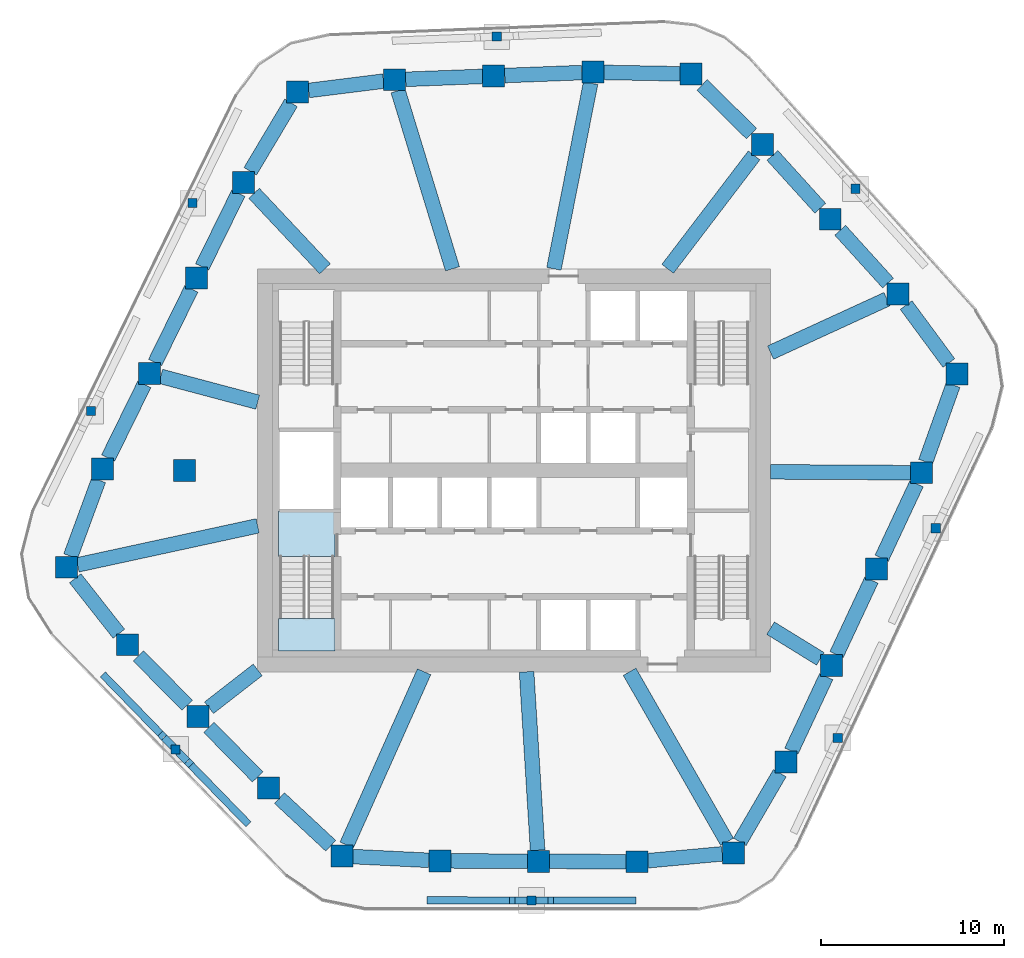
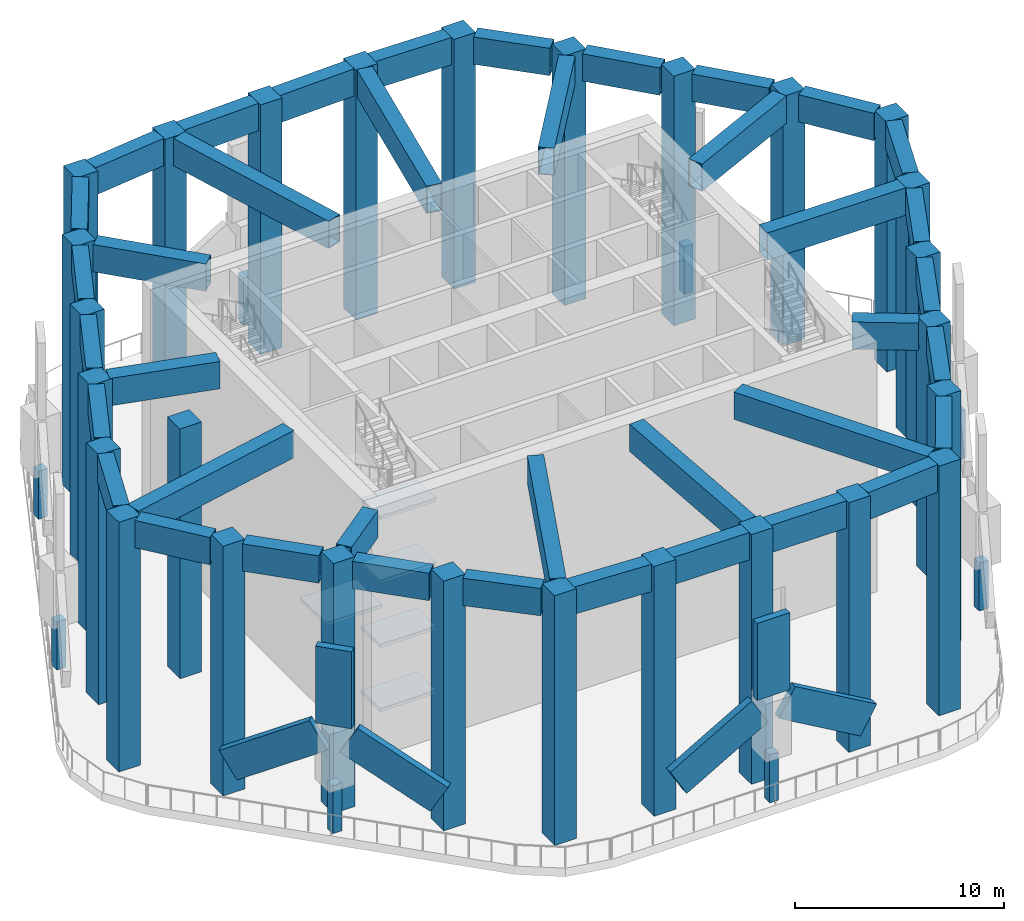
# One storey, part 1 of 12: 39 beams, 35 columns, 6 plates, 5 slabs, 1 element without a shape of its own.
"""IFC4 building model written with IfcOpenShell, lengths in metres."""

from ifc_helpers import new_model, si_unit, direction, frame, origin, origin_2d, place, context, subcontext, project, spatial, polyline, rectangle, hollow_rectangle, outline, extrude, material, layer, layer_set, material_profile, profile_set, type_object, element, aggregate, save


model = new_model("IFC4")

# Units and contexts
model_context = context("Model", 3, precision=1e-05, world=origin(), true_north=direction((0.0, 1.0)))
body_context = subcontext(model_context, "Body", "Model", "MODEL_VIEW")
ifc_project = project(units=[si_unit("LENGTHUNIT", "METRE"), si_unit("AREAUNIT", "SQUARE_METRE"), si_unit("VOLUMEUNIT", "CUBIC_METRE"), si_unit("PLANEANGLEUNIT", "RADIAN"), si_unit("MASSUNIT", "GRAM", prefix="KILO")], contexts=[model_context])

# Site, building, storey
site_placement = place(None, origin())
site = spatial("IfcSite", under=ifc_project, at=site_placement, CompositionType="ELEMENT")
building_placement = place(site_placement, origin())
building = spatial("IfcBuilding", under=site, at=building_placement, Name="Dongbaek Canopy Tower", CompositionType="ELEMENT")
storey_placement = place(building_placement, frame((0.0, 0.0, 183.800048828125)))
storey = spatial("IfcBuildingStorey", under=building, at=storey_placement, Name="L40", CompositionType="ELEMENT", Elevation=183.800048828125)

# Columns
ifc_material_1 = material(Name="Concrete C70", Category="concrete")
ifc_material_profile_1 = material_profile(ifc_material_1, rectangle(XDim=1.199951171875, YDim=1.199951171875, at=origin_2d()), Name="RC COLUMN 1200x1200 C70")
ifc_profile_set_1 = profile_set([ifc_material_profile_1], Name="Concrete C70")
column_type_1 = type_object("IfcColumnType", Name="RC COLUMN 1200x1200 C70", PredefinedType="COLUMN", material=ifc_profile_set_1)
for number, where, z_axis, x_axis, name in (
    (1, (11.971923828125, -20.885009765625, 0.0), (0.0, 0.0, 1.0), (1.0, 0.0, 0.0), "COL:CZ3-01:L40"),
    (2, (6.697998046875, -21.3720703125, 0.0), (0.0, 0.0, 1.0), (1.0, 0.0, 0.0), "COL:CZ3-02:L40"),
    (3, (1.321044921875, -21.347900390625, 0.0), (0.0, 0.0, 1.0), (1.0, 0.0, 0.0), "COL:CZ3-03:L40"),
    (4, (-4.054931640625, -21.323974609375, 0.0), (0.0, 0.0, 1.0), (1.0, 0.0, 0.0), "COL:CZ3-04:L40"),
    (5, (-9.407958984375, -21.06103515625, 0.0), (0.0, 0.0, 1.0), (1.0, 0.0, 0.0), "COL:CZ3-05:L40"),
    (6, (-13.409912109375, -17.339111328125, 0.0), (0.0, 0.0, 1.0), (1.0, 0.0, 0.0), "COL:CZ3-06:L40"),
    (7, (-17.258056640625, -13.431884765625, 0.0), (0.0, 0.0, 1.0), (1.0, 0.0, 0.0), "COL:CZ3-07:L40"),
    (8, (-21.10595703125, -9.52490234375, 0.0), (0.0, 0.0, 1.0), (1.0, 0.0, 0.0), "COL:CZ3-08:L40"),
    (9, (-24.43505859375, -5.2939453125, 0.0), (0.0, 0.0, 1.0), (1.0, 0.0, 0.0), "COL:CZ3-09:L40"),
    (10, (-22.4619140625, 0.06689453125, 0.0), (0.0, 0.0, 1.0), (1.0, 0.0, 0.0), "COL:CZ3-10:L40"),
    (11, (-19.89599609375, 5.287109375, 0.0), (0.0, 0.0, 1.0), (1.0, 0.0, 0.0), "COL:CZ3-11:L40"),
    (12, (-17.327880859375, 10.5048828125, 0.0), (0.0, 0.0, 1.0), (1.0, 0.0, 0.0), "COL:CZ3-12:L40"),
    (13, (-14.761962890625, 15.72412109375, 0.0), (0.0, 0.0, 1.0), (1.0, 0.0, 0.0), "COL:CZ3-13:L40"),
    (14, (-11.822998046875, 20.660888671875, 0.0), (0.0, 0.0, 1.0), (1.0, 0.0, 0.0), "COL:CZ3-14:L40"),
    (15, (-6.52197265625, 21.322998046875, 0.0), (0.0, 0.0, 1.0), (1.0, 0.0, 0.0), "COL:CZ3-15:L40"),
    (16, (-1.113037109375, 21.530029296875, 0.0), (0.0, 0.0, 1.0), (1.0, 0.0, 0.0), "COL:CZ3-16:L40"),
    (17, (4.294921875, 21.736083984375, 0.0), (0.0, 0.0, 1.0), (1.0, 0.0, 0.0), "COL:CZ3-17:L40"),
    (18, (9.666015625, 21.635009765625, 0.0), (0.0, 0.0, 1.0), (1.0, 0.0, 0.0), "COL:CZ3-18:L40"),
    (19, (13.56005859375, 17.7919921875, 0.0), (0.0, 0.0, 1.0), (1.0, 0.0, 0.0), "COL:CZ3-19:L40"),
    (20, (17.260986328125, 13.7060546875, 0.0), (0.0, 0.0, 1.0), (1.0, 0.0, 0.0), "COL:CZ3-20:L40"),
    (21, (20.9599609375, 9.62109375, 0.0), (0.0, 0.0, 1.0), (1.0, 0.0, 0.0), "COL:CZ3-21:L40"),
    (22, (24.179931640625, 5.257080078125, 0.0), (0.0, 0.0, 1.0), (1.0, 0.0, 0.0), "COL:CZ3-22:L40"),
    (23, (22.25390625, -0.134033203125, 0.0), (0.0, 0.0, 1.0), (1.0, 0.0, 0.0), "COL:CZ3-23:L40"),
    (24, (19.7880859375, -5.39892578125, 0.0), (0.0, 0.0, 1.0), (1.0, 0.0, 0.0), "COL:CZ3-24:L40"),
    (25, (17.322021484375, -10.666015625, 0.0), (0.0, 0.0, 1.0), (1.0, 0.0, 0.0), "COL:CZ3-25:L40"),
    (26, (14.85498046875, -15.931884765625, 0.0), (0.0, 0.0, 1.0), (1.0, 0.0, 0.0), "COL:CZ3-26:L40"),
    (27, (-18.0, 0.0, 0.0), (0.0, 0.0, 1.0), (1.0, 0.0, 0.0), "COL:CIZ3-01:L40"),
):
    element("IfcColumn", number, at=place(storey_placement, frame(where, z_axis=z_axis, x_axis=x_axis)), inside=storey, type_object=column_type_1, Name=name, PredefinedType="COLUMN", context=body_context, shape_type="SweptSolid", body=[
        extrude(rectangle(XDim=1.199951171875, YDim=1.199951171875, at=origin_2d()), origin(), (0.0, 0.0, 1.0), 14.619873046875),
    ])
ifc_material_2 = material(Name="Steel S355", Category="steel")
ifc_material_profile_2 = material_profile(ifc_material_2, rectangle(XDim=0.5, YDim=0.5, at=origin_2d()), Name="Turbine frame 500 x 500")
ifc_profile_set_2 = profile_set([ifc_material_profile_2], Name="Steel S355")
column_type_2 = type_object("IfcColumnType", Name="Turbine frame 500 x 500", PredefinedType="COLUMN", material=ifc_profile_set_2)
for number, where, z_axis, x_axis, name in (
    (28, (18.637939453125, 15.370849609375, 0.0), (0.0, 0.0, 1.0), (1.0, 0.0, 0.0), "Turbine 1 frame"),
    (29, (-0.946533203125, 23.6767578125, 0.0), (0.0, 0.0, 1.0), (1.0, 0.0, 0.0), "Turbine 2 frame"),
    (30, (-17.553955078125, 14.58642578125, 0.0), (0.0, 0.0, 1.0), (1.0, 0.0, 0.0), "Turbine 3 frame"),
    (31, (-23.1044921875, 3.228759765625, 0.0), (0.0, 0.0, 1.0), (1.0, 0.0, 0.0), "Turbine 4 frame"),
    (32, (-18.480224609375, -15.235595703125, 0.0), (0.0, 0.0, 1.0), (1.0, 0.0, 0.0), "Turbine 5 frame"),
    (33, (0.946533203125, -23.4853515625, 0.0), (0.0, 0.0, 1.0), (1.0, 0.0, 0.0), "Turbine 6 frame"),
    (34, (17.673095703125, -14.61962890625, 0.0), (0.0, 0.0, 1.0), (1.0, 0.0, 0.0), "Turbine 7 frame"),
    (35, (23.019287109375, -3.166748046875, 0.0), (0.0, 0.0, 1.0), (1.0, 0.0, 0.0), "Turbine 8 frame"),
):
    element("IfcColumn", number, at=place(storey_placement, frame(where, z_axis=z_axis, x_axis=x_axis)), inside=storey, type_object=column_type_2, Name=name, PredefinedType="COLUMN", context=body_context, shape_type="SweptSolid", body=[
        extrude(rectangle(XDim=0.5, YDim=0.5, at=origin_2d()), origin(), (0.0, 0.0, 1.0), 2.807861328125),
    ])

# Beams
ifc_material_3 = material(Name="Steel S355", Category="steel")
ifc_material_profile_3 = material_profile(ifc_material_3, hollow_rectangle(XDim=0.800048828125, YDim=1.60009765625, WallThickness=0.054931640625, at=origin_2d()), Name="STEEL PORTAL BEAM 800x1600x55 Steel S355")
ifc_profile_set_3 = profile_set([ifc_material_profile_3], Name="Steel S355")
beam_type = type_object("IfcBeamType", Name="STEEL PORTAL BEAM 800x1600x55 Steel S355", PredefinedType="BEAM", material=ifc_profile_set_3)
beam_1_placement = place(storey_placement, frame((11.3720703125, -20.9404296875, 13.820068359375), z_axis=(-0.995763065099, -0.091956066598, 0.0), x_axis=(0.091956066598, -0.995763065099, 0.0)))
element("IfcBeam", 36, at=beam_1_placement, inside=storey, type_object=beam_type, Name="PORTAL:L40:00", PredefinedType="BEAM", context=body_context, shape_type="SweptSolid", body=[
    extrude(hollow_rectangle(XDim=0.800048828125, YDim=1.60009765625, WallThickness=0.054931640625, at=origin_2d()), origin(), (0.0, 0.0, 1.0), 4.09130859375),
])
beam_2_placement = place(storey_placement, frame((6.097900390625, -21.369384765625, 13.820068359375), z_axis=(-0.999989872655, 0.004500509685, 0.0), x_axis=(-0.004500509685, -0.999989872655, 0.0)))
element("IfcBeam", 37, at=beam_2_placement, inside=storey, type_object=beam_type, Name="PORTAL:L40:01", PredefinedType="BEAM", context=body_context, shape_type="SweptSolid", body=[
    extrude(hollow_rectangle(XDim=0.800048828125, YDim=1.60009765625, WallThickness=0.054931640625, at=origin_2d()), origin(), (0.0, 0.0, 1.0), 4.177001953125),
])
beam_3_placement = place(storey_placement, frame((0.720947265625, -21.34521484375, 13.820068359375), z_axis=(-0.999990129376, 0.004443101423, 0.0), x_axis=(-0.004443101423, -0.999990129376, 0.0)))
element("IfcBeam", 38, at=beam_3_placement, inside=storey, type_object=beam_type, Name="PORTAL:L40:02", PredefinedType="BEAM", context=body_context, shape_type="SweptSolid", body=[
    extrude(hollow_rectangle(XDim=0.800048828125, YDim=1.60009765625, WallThickness=0.054931640625, at=origin_2d()), origin(), (0.0, 0.0, 1.0), 4.176025390625),
])
beam_4_placement = place(storey_placement, frame((-4.655029296875, -21.29443359375, 13.820068359375), z_axis=(-0.998797460552, 0.04902685789, 0.0), x_axis=(-0.04902685789, -0.998797460552, 0.0)))
element("IfcBeam", 39, at=beam_4_placement, inside=storey, type_object=beam_type, Name="PORTAL:L40:03", PredefinedType="BEAM", context=body_context, shape_type="SweptSolid", body=[
    extrude(hollow_rectangle(XDim=0.800048828125, YDim=1.60009765625, WallThickness=0.054931640625, at=origin_2d()), origin(), (0.0, 0.0, 1.0), 4.157958984375),
])
beam_5_placement = place(storey_placement, frame((-10.008056640625, -20.5029296875, 13.820068359375), z_axis=(-0.732259249265, 0.681025984722, 0.0), x_axis=(-0.681025984722, -0.732259249265, 0.0)))
element("IfcBeam", 40, at=beam_5_placement, inside=storey, type_object=beam_type, Name="PORTAL:L40:04", PredefinedType="BEAM", context=body_context, shape_type="SweptSolid", body=[
    extrude(hollow_rectangle(XDim=0.800048828125, YDim=1.60009765625, WallThickness=0.054931640625, at=origin_2d()), origin(), (0.0, 0.0, 1.0), 3.826416015625),
])
beam_6_placement = place(storey_placement, frame((-14.0009765625, -16.739013671875, 13.820068359375), z_axis=(-0.701688575516, 0.71248378437, 0.0), x_axis=(-0.71248378437, -0.701688575516, 0.0)))
element("IfcBeam", 41, at=beam_6_placement, inside=storey, type_object=beam_type, Name="PORTAL:L40:05", PredefinedType="BEAM", context=body_context, shape_type="SweptSolid", body=[
    extrude(hollow_rectangle(XDim=0.800048828125, YDim=1.60009765625, WallThickness=0.054931640625, at=origin_2d()), origin(), (0.0, 0.0, 1.0), 3.79931640625),
])
beam_7_placement = place(storey_placement, frame((-17.848876953125, -12.83203125, 13.820068359375), z_axis=(-0.701721192392, 0.712451660218, 0.0), x_axis=(-0.712451660218, -0.701721192392, 0.0)))
element("IfcBeam", 42, at=beam_7_placement, inside=storey, type_object=beam_type, Name="PORTAL:L40:06", PredefinedType="BEAM", context=body_context, shape_type="SweptSolid", body=[
    extrude(hollow_rectangle(XDim=0.800048828125, YDim=1.60009765625, WallThickness=0.054931640625, at=origin_2d()), origin(), (0.0, 0.0, 1.0), 3.799560546875),
])
beam_8_placement = place(storey_placement, frame((-21.578125, -8.925048828125, 13.820068359375), z_axis=(-0.618344214718, 0.785907394115, 0.0), x_axis=(-0.785907394115, -0.618344214718, 0.0)))
element("IfcBeam", 43, at=beam_8_placement, inside=storey, type_object=beam_type, Name="PORTAL:L40:07", PredefinedType="BEAM", context=body_context, shape_type="SweptSolid", body=[
    extrude(hollow_rectangle(XDim=0.800048828125, YDim=1.60009765625, WallThickness=0.054931640625, at=origin_2d()), origin(), (0.0, 0.0, 1.0), 3.856689453125),
])
beam_9_placement = place(storey_placement, frame((-24.214111328125, -4.694091796875, 13.820068359375), z_axis=(0.34534810305, 0.938474660137, 0.0), x_axis=(-0.938474660137, 0.34534810305, 0.0)))
element("IfcBeam", 44, at=beam_9_placement, inside=storey, type_object=beam_type, Name="PORTAL:L40:08", PredefinedType="BEAM", context=body_context, shape_type="SweptSolid", body=[
    extrude(hollow_rectangle(XDim=0.800048828125, YDim=1.60009765625, WallThickness=0.054931640625, at=origin_2d()), origin(), (0.0, 0.0, 1.0), 4.433837890625),
])
beam_10_placement = place(storey_placement, frame((-22.1669921875, 0.6669921875, 13.820068359375), z_axis=(0.441142658474, 0.897436992147, 0.0), x_axis=(-0.897436992147, 0.441142658474, 0.0)))
element("IfcBeam", 45, at=beam_10_placement, inside=storey, type_object=beam_type, Name="PORTAL:L40:09", PredefinedType="BEAM", context=body_context, shape_type="SweptSolid", body=[
    extrude(hollow_rectangle(XDim=0.800048828125, YDim=1.60009765625, WallThickness=0.054931640625, at=origin_2d()), origin(), (0.0, 0.0, 1.0), 4.4794921875),
])
beam_11_placement = place(storey_placement, frame((-19.6005859375, 5.886962890625, 13.820068359375), z_axis=(0.441534821152, 0.897244114893, 0.0), x_axis=(-0.897244114893, 0.441534821152, 0.0)))
element("IfcBeam", 46, at=beam_11_placement, inside=storey, type_object=beam_type, Name="PORTAL:L40:10", PredefinedType="BEAM", context=body_context, shape_type="SweptSolid", body=[
    extrude(hollow_rectangle(XDim=0.800048828125, YDim=1.60009765625, WallThickness=0.054931640625, at=origin_2d()), origin(), (0.0, 0.0, 1.0), 4.478271484375),
])
beam_12_placement = place(storey_placement, frame((-17.032958984375, 11.10498046875, 13.820068359375), z_axis=(0.441228982876, 0.89739455351, 0.0), x_axis=(-0.89739455351, 0.441228982876, 0.0)))
element("IfcBeam", 47, at=beam_12_placement, inside=storey, type_object=beam_type, Name="PORTAL:L40:11", PredefinedType="BEAM", context=body_context, shape_type="SweptSolid", body=[
    extrude(hollow_rectangle(XDim=0.800048828125, YDim=1.60009765625, WallThickness=0.054931640625, at=origin_2d()), origin(), (0.0, 0.0, 1.0), 4.478515625),
])
beam_13_placement = place(storey_placement, frame((-14.40478515625, 16.323974609375, 13.820068359375), z_axis=(0.51151247975, 0.859275848061, 0.0), x_axis=(-0.859275848061, 0.51151247975, 0.0)))
element("IfcBeam", 48, at=beam_13_placement, inside=storey, type_object=beam_type, Name="PORTAL:L40:12", PredefinedType="BEAM", context=body_context, shape_type="SweptSolid", body=[
    extrude(hollow_rectangle(XDim=0.800048828125, YDim=1.60009765625, WallThickness=0.054931640625, at=origin_2d()), origin(), (0.0, 0.0, 1.0), 4.34912109375),
])
beam_14_placement = place(storey_placement, frame((-11.222900390625, 20.73583984375, 13.820068359375), z_axis=(0.992289687294, 0.123940213368, 0.0), x_axis=(-0.123940213368, 0.992289687294, 0.0)))
element("IfcBeam", 49, at=beam_14_placement, inside=storey, type_object=beam_type, Name="PORTAL:L40:13", PredefinedType="BEAM", context=body_context, shape_type="SweptSolid", body=[
    extrude(hollow_rectangle(XDim=0.800048828125, YDim=1.60009765625, WallThickness=0.054931640625, at=origin_2d()), origin(), (0.0, 0.0, 1.0), 4.1328125),
])
beam_15_placement = place(storey_placement, frame((-5.922119140625, 21.345947265625, 13.820068359375), z_axis=(0.999268092878, 0.038252824158, 0.0), x_axis=(-0.038252824158, 0.999268092878, 0.0)))
element("IfcBeam", 50, at=beam_15_placement, inside=storey, type_object=beam_type, Name="PORTAL:L40:14", PredefinedType="BEAM", context=body_context, shape_type="SweptSolid", body=[
    extrude(hollow_rectangle(XDim=0.800048828125, YDim=1.60009765625, WallThickness=0.054931640625, at=origin_2d()), origin(), (0.0, 0.0, 1.0), 4.21240234375),
])
beam_16_placement = place(storey_placement, frame((-0.512939453125, 21.552978515625, 13.820068359375), z_axis=(0.999276508887, 0.0380323387, 0.0), x_axis=(-0.0380323387, 0.999276508887, 0.0)))
element("IfcBeam", 51, at=beam_16_placement, inside=storey, type_object=beam_type, Name="PORTAL:L40:15", PredefinedType="BEAM", context=body_context, shape_type="SweptSolid", body=[
    extrude(hollow_rectangle(XDim=0.800048828125, YDim=1.60009765625, WallThickness=0.054931640625, at=origin_2d()), origin(), (0.0, 0.0, 1.0), 4.2109375),
])
beam_17_placement = place(storey_placement, frame((4.89501953125, 21.724609375, 13.820068359375), z_axis=(0.999823523871, -0.018786194753, 0.0), x_axis=(0.018786194753, 0.999823523871, 0.0)))
element("IfcBeam", 52, at=beam_17_placement, inside=storey, type_object=beam_type, Name="PORTAL:L40:16", PredefinedType="BEAM", context=body_context, shape_type="SweptSolid", body=[
    extrude(hollow_rectangle(XDim=0.800048828125, YDim=1.60009765625, WallThickness=0.054931640625, at=origin_2d()), origin(), (0.0, 0.0, 1.0), 4.171630859375),
])
beam_18_placement = place(storey_placement, frame((10.26611328125, 21.04296875, 13.820068359375), z_axis=(0.711703560094, -0.702479923236, 0.0), x_axis=(0.702479923236, 0.711703560094, 0.0)))
element("IfcBeam", 53, at=beam_18_placement, inside=storey, type_object=beam_type, Name="PORTAL:L40:17", PredefinedType="BEAM", context=body_context, shape_type="SweptSolid", body=[
    extrude(hollow_rectangle(XDim=0.800048828125, YDim=1.60009765625, WallThickness=0.054931640625, at=origin_2d()), origin(), (0.0, 0.0, 1.0), 3.78515625),
])
beam_19_placement = place(storey_placement, frame((14.103515625, 17.19189453125, 13.820068359375), z_axis=(0.67132037677, -0.741167289978, 0.0), x_axis=(0.741167289978, 0.67132037677, 0.0)))
element("IfcBeam", 54, at=beam_19_placement, inside=storey, type_object=beam_type, Name="PORTAL:L40:18", PredefinedType="BEAM", context=body_context, shape_type="SweptSolid", body=[
    extrude(hollow_rectangle(XDim=0.800048828125, YDim=1.60009765625, WallThickness=0.054931640625, at=origin_2d()), origin(), (0.0, 0.0, 1.0), 3.893798828125),
])
beam_20_placement = place(storey_placement, frame((17.80419921875, 13.10595703125, 13.820068359375), z_axis=(0.671238468475, -0.741241471074, 0.0), x_axis=(0.741241471074, 0.671238468475, 0.0)))
element("IfcBeam", 55, at=beam_20_placement, inside=storey, type_object=beam_type, Name="PORTAL:L40:19", PredefinedType="BEAM", context=body_context, shape_type="SweptSolid", body=[
    extrude(hollow_rectangle(XDim=0.800048828125, YDim=1.60009765625, WallThickness=0.054931640625, at=origin_2d()), origin(), (0.0, 0.0, 1.0), 3.89208984375),
])
beam_21_placement = place(storey_placement, frame((21.402587890625, 9.02099609375, 13.820068359375), z_axis=(0.593743199573, -0.804654592332, 0.0), x_axis=(0.804654592332, 0.593743199573, 0.0)))
element("IfcBeam", 56, at=beam_21_placement, inside=storey, type_object=beam_type, Name="PORTAL:L40:20", PredefinedType="BEAM", context=body_context, shape_type="SweptSolid", body=[
    extrude(hollow_rectangle(XDim=0.800048828125, YDim=1.60009765625, WallThickness=0.054931640625, at=origin_2d()), origin(), (0.0, 0.0, 1.0), 3.93212890625),
])
beam_22_placement = place(storey_placement, frame((23.965576171875, 4.656982421875, 13.820068359375), z_axis=(-0.336398951073, -0.941719568511, 0.0), x_axis=(0.941719568511, -0.336398951073, 0.0)))
element("IfcBeam", 57, at=beam_22_placement, inside=storey, type_object=beam_type, Name="PORTAL:L40:21", PredefinedType="BEAM", context=body_context, shape_type="SweptSolid", body=[
    extrude(hollow_rectangle(XDim=0.800048828125, YDim=1.60009765625, WallThickness=0.054931640625, at=origin_2d()), origin(), (0.0, 0.0, 1.0), 4.4501953125),
])
beam_23_placement = place(storey_placement, frame((21.972900390625, -0.73388671875, 13.820068359375), z_axis=(-0.424114752544, -0.905608456605, 0.0), x_axis=(0.905608456605, -0.424114752544, 0.0)))
element("IfcBeam", 58, at=beam_23_placement, inside=storey, type_object=beam_type, Name="PORTAL:L40:22", PredefinedType="BEAM", context=body_context, shape_type="SweptSolid", body=[
    extrude(hollow_rectangle(XDim=0.800048828125, YDim=1.60009765625, WallThickness=0.054931640625, at=origin_2d()), origin(), (0.0, 0.0, 1.0), 4.489013671875),
])
beam_24_placement = place(storey_placement, frame((19.507080078125, -5.9990234375, 13.820068359375), z_axis=(-0.424057758342, -0.905635145956, 0.0), x_axis=(0.905635145956, -0.424057758342, 0.0)))
element("IfcBeam", 59, at=beam_24_placement, inside=storey, type_object=beam_type, Name="PORTAL:L40:23", PredefinedType="BEAM", context=body_context, shape_type="SweptSolid", body=[
    extrude(hollow_rectangle(XDim=0.800048828125, YDim=1.60009765625, WallThickness=0.054931640625, at=origin_2d()), origin(), (0.0, 0.0, 1.0), 4.49072265625),
])
beam_25_placement = place(storey_placement, frame((17.041015625, -11.26611328125, 13.820068359375), z_axis=(-0.424275059541, -0.905533364295, 0.0), x_axis=(0.905533364295, -0.424275059541, 0.0)))
element("IfcBeam", 60, at=beam_25_placement, inside=storey, type_object=beam_type, Name="PORTAL:L40:24", PredefinedType="BEAM", context=body_context, shape_type="SweptSolid", body=[
    extrude(hollow_rectangle(XDim=0.800048828125, YDim=1.60009765625, WallThickness=0.054931640625, at=origin_2d()), origin(), (0.0, 0.0, 1.0), 4.489990234375),
])
beam_26_placement = place(storey_placement, frame((14.505859375, -16.531982421875, 13.820068359375), z_axis=(-0.503073799677, -0.864243456486, 0.0), x_axis=(0.864243456486, -0.503073799677, 0.0)))
element("IfcBeam", 61, at=beam_26_placement, inside=storey, type_object=beam_type, Name="PORTAL:L40:25", PredefinedType="BEAM", context=body_context, shape_type="SweptSolid", body=[
    extrude(hollow_rectangle(XDim=0.800048828125, YDim=1.60009765625, WallThickness=0.054931640625, at=origin_2d()), origin(), (0.0, 0.0, 1.0), 4.342529296875),
])
beam_27_placement = place(storey_placement, frame((6.3056640625, -11.0, 13.820068359375), z_axis=(0.497325051515, -0.86756428761, 0.0), x_axis=(0.86756428761, 0.497325051515, 0.0)))
element("IfcBeam", 62, at=beam_27_placement, inside=storey, type_object=beam_type, Name="PORTALR:L40:00", PredefinedType="BEAM", context=body_context, shape_type="SweptSolid", body=[
    extrude(hollow_rectangle(XDim=0.800048828125, YDim=1.60009765625, WallThickness=0.054931640625, at=origin_2d()), origin(), (0.0, 0.0, 1.0), 10.702392578125),
])
beam_28_placement = place(storey_placement, frame((0.6806640625, -11.0, 13.820068359375), z_axis=(0.061768224687, -0.998090520153, 0.0), x_axis=(0.998090520153, 0.061768224687, 0.0)))
element("IfcBeam", 63, at=beam_28_placement, inside=storey, type_object=beam_type, Name="PORTALR:L40:02", PredefinedType="BEAM", context=body_context, shape_type="SweptSolid", body=[
    extrude(hollow_rectangle(XDim=0.800048828125, YDim=1.60009765625, WallThickness=0.054931640625, at=origin_2d()), origin(), (0.0, 0.0, 1.0), 9.7666015625),
])
beam_29_placement = place(storey_placement, frame((-4.913818359375, -11.0, 13.820068359375), z_axis=(-0.407847290529, -0.913050156129, 0.0), x_axis=(0.913050156129, -0.407847290529, 0.0)))
element("IfcBeam", 64, at=beam_29_placement, inside=storey, type_object=beam_type, Name="PORTALR:L40:04", PredefinedType="BEAM", context=body_context, shape_type="SweptSolid", body=[
    extrude(hollow_rectangle(XDim=0.800048828125, YDim=1.60009765625, WallThickness=0.054931640625, at=origin_2d()), origin(), (0.0, 0.0, 1.0), 10.36181640625),
])
beam_30_placement = place(storey_placement, frame((-14.0, -10.896240234375, 13.820068359375), z_axis=(-0.789129696448, -0.614226604914, 0.0), x_axis=(0.614226604914, -0.789129696448, 0.0)))
element("IfcBeam", 65, at=beam_30_placement, inside=storey, type_object=beam_type, Name="PORTALR:L40:06", PredefinedType="BEAM", context=body_context, shape_type="SweptSolid", body=[
    extrude(hollow_rectangle(XDim=0.800048828125, YDim=1.60009765625, WallThickness=0.054931640625, at=origin_2d()), origin(), (0.0, 0.0, 1.0), 3.3681640625),
])
beam_31_placement = place(storey_placement, frame((-14.0, -3.033203125, 13.820068359375), z_axis=(-0.977324144179, -0.211748712402, 0.0), x_axis=(0.211748712402, -0.977324144179, 0.0)))
element("IfcBeam", 66, at=beam_31_placement, inside=storey, type_object=beam_type, Name="PORTALR:L40:08", PredefinedType="BEAM", context=body_context, shape_type="SweptSolid", body=[
    extrude(hollow_rectangle(XDim=0.800048828125, YDim=1.60009765625, WallThickness=0.054931640625, at=origin_2d()), origin(), (0.0, 0.0, 1.0), 10.063232421875),
])
beam_32_placement = place(storey_placement, frame((-14.0, 3.72021484375, 13.820068359375), z_axis=(-0.966451264073, 0.256850061653, 0.0), x_axis=(-0.256850061653, -0.966451264073, 0.0)))
element("IfcBeam", 67, at=beam_32_placement, inside=storey, type_object=beam_type, Name="PORTALR:L40:10", PredefinedType="BEAM", context=body_context, shape_type="SweptSolid", body=[
    extrude(hollow_rectangle(XDim=0.800048828125, YDim=1.60009765625, WallThickness=0.054931640625, at=origin_2d()), origin(), (0.0, 0.0, 1.0), 5.479736328125),
])
beam_33_placement = place(storey_placement, frame((-10.326904296875, 11.0, 13.820068359375), z_axis=(-0.684463531031, 0.729047100459, 0.0), x_axis=(-0.729047100459, -0.684463531031, 0.0)))
element("IfcBeam", 68, at=beam_33_placement, inside=storey, type_object=beam_type, Name="PORTALR:L40:12", PredefinedType="BEAM", context=body_context, shape_type="SweptSolid", body=[
    extrude(hollow_rectangle(XDim=0.800048828125, YDim=1.60009765625, WallThickness=0.054931640625, at=origin_2d()), origin(), (0.0, 0.0, 1.0), 5.65673828125),
])
beam_34_placement = place(storey_placement, frame((-3.364501953125, 11.0, 13.820068359375), z_axis=(-0.292487550922, 0.956269330553, 0.0), x_axis=(-0.956269330553, -0.292487550922, 0.0)))
element("IfcBeam", 69, at=beam_34_placement, inside=storey, type_object=beam_type, Name="PORTALR:L40:14", PredefinedType="BEAM", context=body_context, shape_type="SweptSolid", body=[
    extrude(hollow_rectangle(XDim=0.800048828125, YDim=1.60009765625, WallThickness=0.054931640625, at=origin_2d()), origin(), (0.0, 0.0, 1.0), 10.16748046875),
])
beam_35_placement = place(storey_placement, frame((2.173583984375, 11.0, 13.820068359375), z_axis=(0.1938571713, 0.981029763634, 0.0), x_axis=(-0.981029763634, 0.1938571713, 0.0)))
element("IfcBeam", 70, at=beam_35_placement, inside=storey, type_object=beam_type, Name="PORTALR:L40:16", PredefinedType="BEAM", context=body_context, shape_type="SweptSolid", body=[
    extrude(hollow_rectangle(XDim=0.800048828125, YDim=1.60009765625, WallThickness=0.054931640625, at=origin_2d()), origin(), (0.0, 0.0, 1.0), 10.33203125),
])
beam_36_placement = place(storey_placement, frame((8.383544921875, 11.0, 13.820068359375), z_axis=(0.606173593061, 0.795332367678, 0.0), x_axis=(-0.795332367678, 0.606173593061, 0.0)))
element("IfcBeam", 71, at=beam_36_placement, inside=storey, type_object=beam_type, Name="PORTALR:L40:18", PredefinedType="BEAM", context=body_context, shape_type="SweptSolid", body=[
    extrude(hollow_rectangle(XDim=0.800048828125, YDim=1.60009765625, WallThickness=0.054931640625, at=origin_2d()), origin(), (0.0, 0.0, 1.0), 7.785400390625),
])
beam_37_placement = place(storey_placement, frame((14.0, 6.42626953125, 13.820068359375), z_axis=(0.908827377404, 0.417172384131, 0.0), x_axis=(-0.417172384131, 0.908827377404, 0.0)))
element("IfcBeam", 72, at=beam_37_placement, inside=storey, type_object=beam_type, Name="PORTALR:L40:20", PredefinedType="BEAM", context=body_context, shape_type="SweptSolid", body=[
    extrude(hollow_rectangle(XDim=0.800048828125, YDim=1.60009765625, WallThickness=0.054931640625, at=origin_2d()), origin(), (0.0, 0.0, 1.0), 6.998046875),
])
beam_38_placement = place(storey_placement, frame((14.0, -0.084228515625, 13.820068359375), z_axis=(0.999981828994, -0.006028406293, 0.0), x_axis=(0.006028406293, 0.999981828994, 0.0)))
element("IfcBeam", 73, at=beam_38_placement, inside=storey, type_object=beam_type, Name="PORTALR:L40:22", PredefinedType="BEAM", context=body_context, shape_type="SweptSolid", body=[
    extrude(hollow_rectangle(XDim=0.800048828125, YDim=1.60009765625, WallThickness=0.054931640625, at=origin_2d()), origin(), (0.0, 0.0, 1.0), 7.654296875),
])
beam_39_placement = place(storey_placement, frame((14.0, -8.62060546875, 13.820068359375), z_axis=(0.851519301571, -0.524323258165, 0.0), x_axis=(0.524323258165, 0.851519301571, 0.0)))
element("IfcBeam", 74, at=beam_39_placement, inside=storey, type_object=beam_type, Name="PORTALR:L40:24", PredefinedType="BEAM", context=body_context, shape_type="SweptSolid", body=[
    extrude(hollow_rectangle(XDim=0.800048828125, YDim=1.60009765625, WallThickness=0.054931640625, at=origin_2d()), origin(), (0.0, 0.0, 1.0), 3.196533203125),
])

# Stair, slabs
ifc_material_4 = material(Name="Concrete C40/50", Category="concrete")
stair_type = type_object("IfcStairType", Name="Core exit stair", PredefinedType="HALF_TURN_STAIR", material=ifc_material_4)
stair_placement = place(storey_placement, origin())
stair = element("IfcStair", 75, at=stair_placement, inside=storey, type_object=stair_type, Name="L40 exit stair D", PredefinedType="HALF_TURN_STAIR")
ifc_material_5 = material(Name="Concrete C40/50", Category="concrete")
ifc_layer = layer(ifc_material_5, 0.199951171875)
ifc_layer_set = layer_set([ifc_layer], Name="Core stair landing 200")
slab_type = type_object("IfcSlabType", Name="Core stair landing 200", PredefinedType="LANDING", material=ifc_layer_set)
slab_1_placement = place(storey_placement, frame((0.0, 0.0, 1.675048828125)))
slab_1 = element("IfcSlab", 76, at=slab_1_placement, type_object=slab_type, Name="ST-D landing 1", PredefinedType="LANDING", context=body_context, shape_type="SweptSolid", body=[
    extrude(outline(polyline([(-12.875, -8.10009765625), (-12.875, -9.875), (-9.77490234375, -9.875), (-9.77490234375, -8.10009765625), (-12.875, -8.10009765625)])), origin(), (0.0, 0.0, 1.0), 0.199951171875),
])
slab_2_placement = place(storey_placement, frame((0.0, 0.0, 3.550048828125)))
slab_2 = element("IfcSlab", 77, at=slab_2_placement, type_object=slab_type, Name="ST-D landing 2", PredefinedType="LANDING", context=body_context, shape_type="SweptSolid", body=[
    extrude(outline(polyline([(-12.875, -2.22509765625), (-12.875, -4.699951171875), (-9.77490234375, -4.699951171875), (-9.77490234375, -2.22509765625), (-12.875, -2.22509765625)])), origin(), (0.0, 0.0, 1.0), 0.199951171875),
])
slab_3_placement = place(storey_placement, frame((0.0, 0.0, 5.425048828125)))
slab_3 = element("IfcSlab", 78, at=slab_3_placement, type_object=slab_type, Name="ST-D landing 3", PredefinedType="LANDING", context=body_context, shape_type="SweptSolid", body=[
    extrude(outline(polyline([(-12.875, -8.10009765625), (-12.875, -9.875), (-9.77490234375, -9.875), (-9.77490234375, -8.10009765625), (-12.875, -8.10009765625)])), origin(), (0.0, 0.0, 1.0), 0.199951171875),
])
slab_4_placement = place(storey_placement, frame((0.0, 0.0, 9.175048828125)))
slab_4 = element("IfcSlab", 79, at=slab_4_placement, type_object=slab_type, Name="ST-D landing 5", PredefinedType="LANDING", context=body_context, shape_type="SweptSolid", body=[
    extrude(outline(polyline([(-12.875, -8.10009765625), (-12.875, -9.875), (-9.77490234375, -9.875), (-9.77490234375, -8.10009765625), (-12.875, -8.10009765625)])), origin(), (0.0, 0.0, 1.0), 0.199951171875),
])
slab_5_placement = place(storey_placement, frame((0.0, 0.0, 12.925048828125)))
slab_5 = element("IfcSlab", 80, at=slab_5_placement, type_object=slab_type, Name="ST-D landing 7", PredefinedType="LANDING", context=body_context, shape_type="SweptSolid", body=[
    extrude(outline(polyline([(-12.875, -8.10009765625), (-12.875, -9.875), (-9.77490234375, -9.875), (-9.77490234375, -8.10009765625), (-12.875, -8.10009765625)])), origin(), (0.0, 0.0, 1.0), 0.199951171875),
])
aggregate(stair, [slab_1, slab_2, slab_3, slab_4, slab_5])

# Plates
ifc_material_6 = material(Name="Aluminium 6063-T6 pale metal turbine rotor", Category="aluminium")
ifc_material_profile_4 = material_profile(ifc_material_6, rectangle(XDim=0.39990234375, YDim=1.800048828125, at=origin_2d()), Name="Turbine rotor blade 400 x 1800")
ifc_profile_set_4 = profile_set([ifc_material_profile_4], Name="Aluminium 6063-T6 pale metal turbine rotor")
plate_type = type_object("IfcPlateType", Name="Turbine rotor blade 400 x 1800", PredefinedType="SHEET", material=ifc_profile_set_4)
plate_1_placement = place(storey_placement, frame((-18.480224609375, -15.235595703125, 6.2080078125), z_axis=(0.0, 0.0, 1.0), x_axis=(-0.716979511134, -0.697094240841, 0.0)))
element("IfcPlate", 81, at=plate_1_placement, inside=storey, type_object=plate_type, Name="Turbine 5 blade 1", PredefinedType="SHEET", context=body_context, shape_type="SweptSolid", body=[
    extrude(rectangle(XDim=0.39990234375, YDim=1.800048828125, at=origin_2d()), origin(), (0.0, 0.0, 1.0), 4.508056640625),
])
for number, where, z_axis, x_axis, name in (
    (82, (-17.957275390625, -15.7734375, 5.508056640625), (0.603705761135, -0.620910297114, -0.500009756815), (0.716970117987, 0.697103901807, 0.0), "Turbine 5 blade 2"),
    (83, (-19.0029296875, -14.697998046875, 5.508056640625), (-0.603688188839, 0.620939101519, -0.499995202839), (-0.716996421807, -0.697076847353, 0.0), "Turbine 5 blade 3"),
):
    element("IfcPlate", number, at=place(storey_placement, frame(where, z_axis=z_axis, x_axis=x_axis)), inside=storey, type_object=plate_type, Name=name, PredefinedType="SHEET", context=body_context, shape_type="SweptSolid", body=[
        extrude(rectangle(XDim=0.39990234375, YDim=1.800048828125, at=origin_2d()), origin(), (0.0, 0.0, 1.0), 5.2080078125),
    ])
plate_2_placement = place(storey_placement, frame((0.946533203125, -23.4853515625, 6.2080078125), z_axis=(0.0, 0.0, 1.0), x_axis=(-0.000589812589, -0.999999826061, 0.0)))
element("IfcPlate", 84, at=plate_2_placement, inside=storey, type_object=plate_type, Name="Turbine 6 blade 1", PredefinedType="SHEET", context=body_context, shape_type="SweptSolid", body=[
    extrude(rectangle(XDim=0.39990234375, YDim=1.800048828125, at=origin_2d()), origin(), (0.0, 0.0, 1.0), 4.508056640625),
])
for number, where, z_axis, x_axis, name in (
    (85, (1.696533203125, -23.48583984375, 5.508056640625), (0.866024656804, -0.000515658289, -0.500001027903), (0.000595431312, 0.999999822731, 0.0), "Turbine 6 blade 2"),
    (86, (0.196533203125, -23.485107421875, 5.508056640625), (-0.866024656804, 0.000515658289, -0.500001027903), (-0.000595431312, -0.999999822731, 0.0), "Turbine 6 blade 3"),
):
    element("IfcPlate", number, at=place(storey_placement, frame(where, z_axis=z_axis, x_axis=x_axis)), inside=storey, type_object=plate_type, Name=name, PredefinedType="SHEET", context=body_context, shape_type="SweptSolid", body=[
        extrude(rectangle(XDim=0.39990234375, YDim=1.800048828125, at=origin_2d()), origin(), (0.0, 0.0, 1.0), 5.2080078125),
    ])

save(model, "model.ifc")
